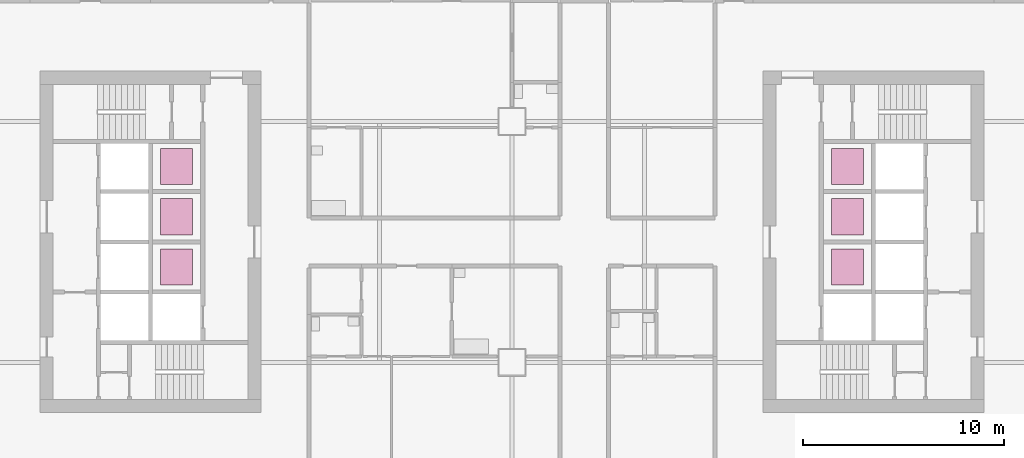
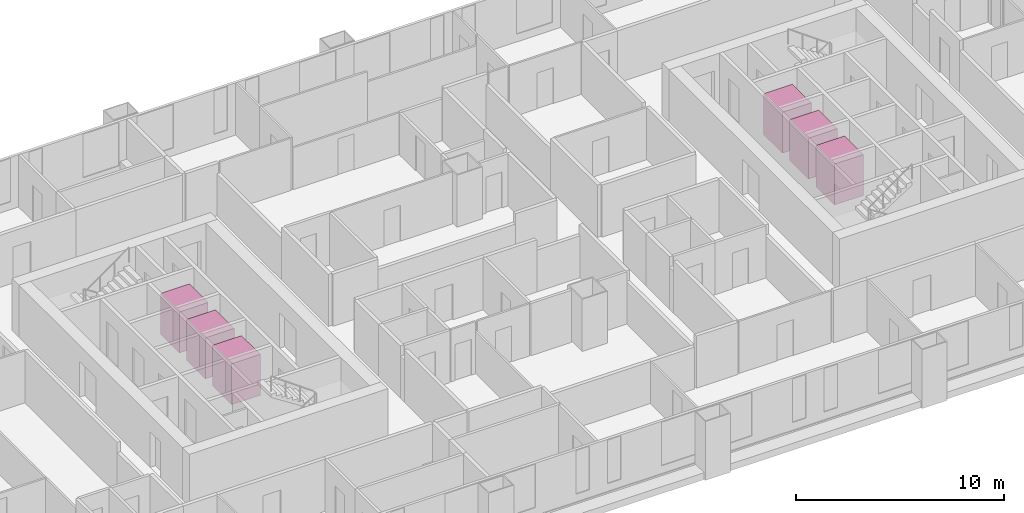
# One storey, part 13 of 13: 6 transport elements.
"""IFC4 building model written with IfcOpenShell, lengths in metres."""

from ifc_helpers import new_model, si_unit, direction, frame, origin, origin_2d, place, context, subcontext, project, spatial, rectangle, extrude, material, type_object, element, save


model = new_model("IFC4")

# Units and contexts
model_context = context("Model", 3, precision=1e-05, world=origin(), true_north=direction((0.0, 1.0)))
body_context = subcontext(model_context, "Body", "Model", "MODEL_VIEW")
ifc_project = project(units=[si_unit("LENGTHUNIT", "METRE"), si_unit("AREAUNIT", "SQUARE_METRE"), si_unit("VOLUMEUNIT", "CUBIC_METRE"), si_unit("PLANEANGLEUNIT", "RADIAN"), si_unit("MASSUNIT", "GRAM", prefix="KILO")], contexts=[model_context])

# Site, building, storey
site_placement = place(None, origin())
site = spatial("IfcSite", under=ifc_project, at=site_placement, CompositionType="ELEMENT")
building_placement = place(site_placement, origin())
building = spatial("IfcBuilding", under=site, at=building_placement, Name="Kitamizu Gate Tower and Museum", CompositionType="ELEMENT")
storey_placement = place(building_placement, frame((0.0, 0.0, 144.89990234375)))
storey = spatial("IfcBuildingStorey", under=building, at=storey_placement, Name="L38", CompositionType="ELEMENT", Elevation=144.89990234375)

# Transport elements
ifc_material = material(Name="Stainless steel SUS304", Category="steel")
transport_element_type = type_object("IfcTransportElementType", Name="Passenger lift 1350 kg", PredefinedType="ELEVATOR", material=ifc_material)
for number, where, z_axis, x_axis, name in (
    (1, (19.300048828125, 28.75, 0.000244140625), (0.0, 0.0, 1.0), (1.0, 0.0, 0.0), "Passenger lift WH1"),
    (2, (19.300048828125, 31.25, 0.000244140625), (0.0, 0.0, 1.0), (1.0, 0.0, 0.0), "Passenger lift WH2"),
    (3, (19.300048828125, 33.75, 0.000244140625), (0.0, 0.0, 1.0), (1.0, 0.0, 0.0), "Passenger lift WH3"),
    (4, (52.699951171875, 28.75, 0.000244140625), (0.0, 0.0, 1.0), (1.0, 0.0, 0.0), "Passenger lift EH1"),
    (5, (52.699951171875, 31.25, 0.000244140625), (0.0, 0.0, 1.0), (1.0, 0.0, 0.0), "Passenger lift EH2"),
    (6, (52.699951171875, 33.75, 0.000244140625), (0.0, 0.0, 1.0), (1.0, 0.0, 0.0), "Passenger lift EH3"),
):
    element("IfcTransportElement", number, at=place(storey_placement, frame(where, z_axis=z_axis, x_axis=x_axis)), inside=storey, type_object=transport_element_type, Name=name, PredefinedType="ELEVATOR", context=body_context, shape_type="SweptSolid", body=[
        extrude(rectangle(XDim=1.60009765625, YDim=1.800048828125, at=origin_2d()), origin(), (0.0, 0.0, 1.0), 2.39990234375),
    ])

save(model, "model.ifc")
